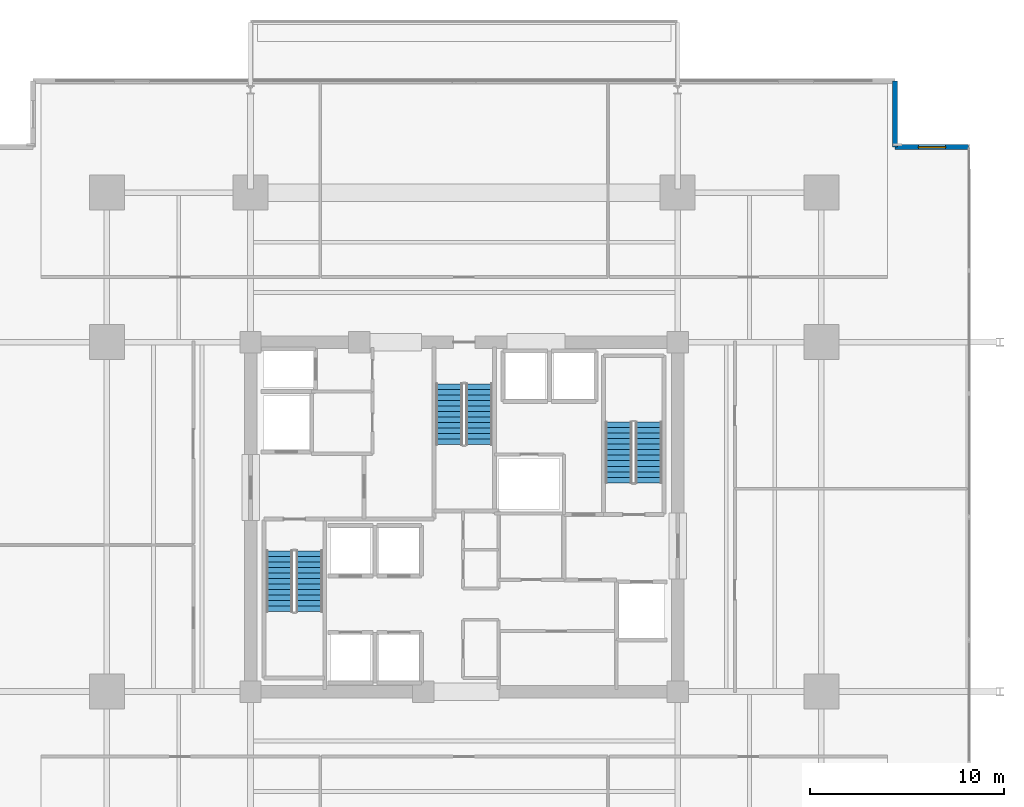
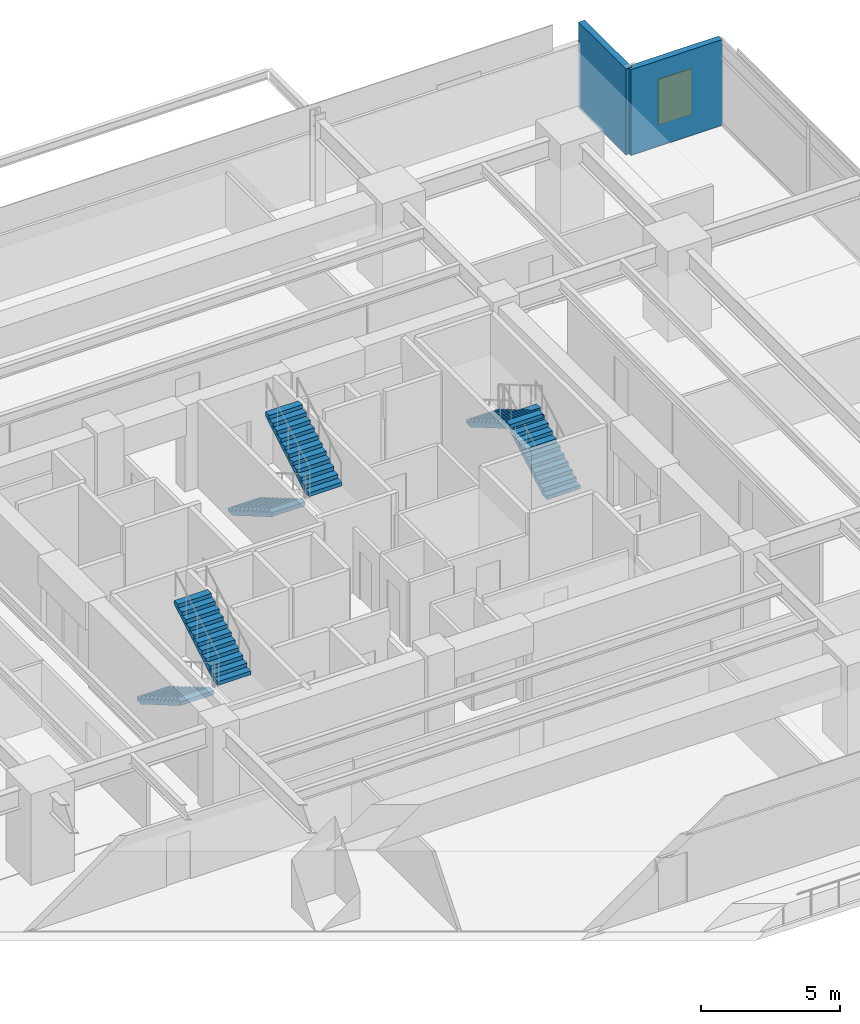
# One storey, part 20 of 25: 6 stair flights, 2 walls, 1 window, 1 opening, 3 elements without a shape of their own.
"""IFC4 building model written with IfcOpenShell, lengths in metres."""

from ifc_helpers import new_model, si_unit, direction, frame, frame_2d, origin, place, context, subcontext, project, spatial, polyline, rectangle, outline, extrude, material, layer, layer_set, type_object, element, fill, aggregate, save


model = new_model("IFC4")

# Units and contexts
model_context = context("Model", 3, precision=1e-05, world=origin(), true_north=direction((0.0, 1.0)))
body_context = subcontext(model_context, "Body", "Model", "MODEL_VIEW")
ifc_project = project(units=[si_unit("LENGTHUNIT", "METRE"), si_unit("AREAUNIT", "SQUARE_METRE"), si_unit("VOLUMEUNIT", "CUBIC_METRE"), si_unit("PLANEANGLEUNIT", "RADIAN"), si_unit("MASSUNIT", "GRAM", prefix="KILO")], contexts=[model_context])

# Site, building, storey
site_placement = place(None, origin())
site = spatial("IfcSite", under=ifc_project, at=site_placement, CompositionType="ELEMENT")
building_placement = place(site_placement, origin())
building = spatial("IfcBuilding", under=site, at=building_placement, Name="Kovane Verandah Tower", CompositionType="ELEMENT")
storey_placement = place(building_placement, frame((0.0, 0.0, 67.60009765625)))
storey = spatial("IfcBuildingStorey", under=building, at=storey_placement, Name="L15", CompositionType="ELEMENT", Elevation=67.60009765625)

# Wall, opening, window
ifc_material_1 = material(Name="Concrete C45/55 Insulated Spandrel Wall", Category="concrete")
ifc_layer = layer(ifc_material_1, 0.260009765625)
ifc_layer_set = layer_set([ifc_layer], Name="Concrete C45/55 Insulated Spandrel Wall")
wall_type = type_object("IfcWallType", Name="WL-SPANDREL-260", PredefinedType="PARAPET", material=ifc_layer_set)
wall_1_placement = place(storey_placement, frame((66.001220703125, 46.540771484375, 0.0), z_axis=(0.0, 0.0, 1.0), x_axis=(-1.0, 0.0, 0.0)))
wall_1 = element("IfcWall", 1, at=wall_1_placement, inside=storey, type_object=wall_type, Name="L15 NE Notch Cheek Wall 1", PredefinedType="PARAPET", context=body_context, shape_type="SweptSolid", body=[
    extrude(rectangle(XDim=3.800048828125, YDim=0.260009765625, at=frame_2d((1.89990234375, 0.0))), origin(), (0.0, 0.0, 1.0), 3.760009765625),
])
opening_placement = place(wall_1_placement, frame((1.199951171875, 0.0, 0.85009765625)))
opening = element("IfcOpeningElement", 2, at=opening_placement, cuts=wall_1, Name="Opening W-01", PredefinedType="OPENING", context=body_context, shape_type="SweptSolid", body=[
    extrude(rectangle(XDim=1.39990234375, YDim=2.0, at=frame_2d((0.699951171875, 1.0))), frame((0.0, 0.1298828125, 0.0), z_axis=(0.0, -1.0, 0.0), x_axis=(1.0, 0.0, 0.0)), (0.0, 0.0, 1.0), 0.260009765625),
])
ifc_material_2 = material(Name="Clear Low-E Laminated Double Glazing in Anodised Frame", Category="glass")
window_type = type_object("IfcWindowType", Name="WN-OPER-1400x2000", PartitioningType="SINGLE_PANEL", PredefinedType="WINDOW", material=ifc_material_2)
window_placement = place(opening_placement, origin())
window = element("IfcWindow", 3, at=window_placement, inside=storey, type_object=window_type, Name="L15 NE Re-Entrant Corner Operable Window", OverallHeight=2.0, OverallWidth=1.39990234375, PartitioningType="SINGLE_PANEL", PredefinedType="WINDOW", context=body_context, shape_type="SweptSolid", body=[
    extrude(rectangle(XDim=1.39990234375, YDim=2.0, at=frame_2d((0.699951171875, 1.0))), frame((0.0, 0.030029296875, 0.0), z_axis=(0.0, -1.0, 0.0), x_axis=(1.0, 0.0, 0.0)), (0.0, 0.0, 1.0), 0.06005859375),
])
fill(opening, window)

# Wall
wall_2_placement = place(storey_placement, frame((62.201171875, 46.540771484375, 0.0), z_axis=(0.0, 0.0, 1.0), x_axis=(0.0, 1.0, 0.0)))
element("IfcWall", 4, at=wall_2_placement, inside=storey, type_object=wall_type, Name="L15 NE Notch Cheek Wall 2", PredefinedType="PARAPET", context=body_context, shape_type="SweptSolid", body=[
    extrude(rectangle(XDim=3.400146484375, YDim=0.260009765625, at=frame_2d((1.7001953125, 0.0))), origin(), (0.0, 0.0, 1.0), 3.760009765625),
])

# Stair, stair flights
ifc_material_3 = material(Name="Concrete C45/55", Category="concrete")
stair_type = type_object("IfcStairType", Name="ST-CORE-1380", PredefinedType="HALF_TURN_STAIR", material=ifc_material_3)
stair_1_placement = place(storey_placement, origin())
stair_1 = element("IfcStair", 5, at=stair_1_placement, inside=storey, type_object=stair_type, Name="L15 Exit Stair ST-01", PredefinedType="HALF_TURN_STAIR")
stair_flight_type = type_object("IfcStairFlightType", Name="STF-CORE-1380", PredefinedType="STRAIGHT", material=ifc_material_3)
stair_flight_1_placement = place(storey_placement, frame((30.489990234375, 25.75, 0.0), z_axis=(0.0, 0.0, 1.0), x_axis=(0.0, -1.0, 0.0)))
stair_flight_1 = element("IfcStairFlight", 6, at=stair_flight_1_placement, type_object=stair_flight_type, Name="ST-01 flight 1", NumberOfRisers=12, NumberOfTreads=11, PredefinedType="STRAIGHT", RiserHeight=0.166666667, TreadLength=0.285, context=body_context, shape_type="SweptSolid", body=[
    extrude(outline(polyline([(0.0, 0.0), (0.0, 0.166748046875), (0.284912109375, 0.166748046875), (0.284912109375, 0.333251953125), (0.570068359375, 0.333251953125), (0.570068359375, 0.5), (0.85498046875, 0.5), (0.85498046875, 0.666748046875), (1.139892578125, 0.666748046875), (1.139892578125, 0.833251953125), (1.425048828125, 0.833251953125), (1.425048828125, 1.0), (1.7099609375, 1.0), (1.7099609375, 1.166748046875), (1.9951171875, 1.166748046875), (1.9951171875, 1.333251953125), (2.280029296875, 1.333251953125), (2.280029296875, 1.5), (2.56494140625, 1.5), (2.56494140625, 1.666748046875), (2.85009765625, 1.666748046875), (2.85009765625, 1.833251953125), (3.135009765625, 1.833251953125), (3.135009765625, 2.0), (3.135009765625, 1.65966796875), (0.296875, 0.0), (0.0, 0.0)])), frame((0.0, 0.68994140625, 0.0), z_axis=(0.0, -1.0, 0.0), x_axis=(1.0, 0.0, 0.0)), (0.0, 0.0, 1.0), 1.3798828125),
])
stair_flight_2_placement = place(storey_placement, frame((32.030029296875, 22.614990234375, 2.0), z_axis=(0.0, 0.0, 1.0), x_axis=(0.0, 1.0, 0.0)))
stair_flight_2 = element("IfcStairFlight", 7, at=stair_flight_2_placement, type_object=stair_flight_type, Name="ST-01 flight 2", NumberOfRisers=12, NumberOfTreads=11, PredefinedType="STRAIGHT", RiserHeight=0.166666667, TreadLength=0.285, context=body_context, shape_type="SweptSolid", body=[
    extrude(outline(polyline([(0.0, 0.0), (0.0, 0.166748046875), (0.284912109375, 0.166748046875), (0.284912109375, 0.333251953125), (0.570068359375, 0.333251953125), (0.570068359375, 0.5), (0.85498046875, 0.5), (0.85498046875, 0.666748046875), (1.139892578125, 0.666748046875), (1.139892578125, 0.833251953125), (1.425048828125, 0.833251953125), (1.425048828125, 1.0), (1.7099609375, 1.0), (1.7099609375, 1.166748046875), (1.9951171875, 1.166748046875), (1.9951171875, 1.333251953125), (2.280029296875, 1.333251953125), (2.280029296875, 1.5), (2.56494140625, 1.5), (2.56494140625, 1.666748046875), (2.85009765625, 1.666748046875), (2.85009765625, 1.833251953125), (3.135009765625, 1.833251953125), (3.135009765625, 2.0), (3.135009765625, 1.65966796875), (0.296875, 0.0), (0.0, 0.0)])), frame((0.0, 0.68994140625, 0.0), z_axis=(0.0, -1.0, 0.0), x_axis=(1.0, 0.0, 0.0)), (0.0, 0.0, 1.0), 1.3798828125),
])
aggregate(stair_1, [stair_flight_1, stair_flight_2])

stair_2_placement = place(storey_placement, origin())
stair_2 = element("IfcStair", 8, at=stair_2_placement, inside=storey, type_object=stair_type, Name="L15 Exit Stair ST-02", PredefinedType="HALF_TURN_STAIR")
stair_flight_3_placement = place(storey_placement, frame((49.510009765625, 29.25, 0.0), z_axis=(0.0, 0.0, 1.0), x_axis=(0.0, 1.0, 0.0)))
stair_flight_3 = element("IfcStairFlight", 9, at=stair_flight_3_placement, type_object=stair_flight_type, Name="ST-02 flight 1", NumberOfRisers=12, NumberOfTreads=11, PredefinedType="STRAIGHT", RiserHeight=0.166666667, TreadLength=0.285, context=body_context, shape_type="SweptSolid", body=[
    extrude(outline(polyline([(0.0, 0.0), (0.0, 0.166748046875), (0.284912109375, 0.166748046875), (0.284912109375, 0.333251953125), (0.570068359375, 0.333251953125), (0.570068359375, 0.5), (0.85498046875, 0.5), (0.85498046875, 0.666748046875), (1.139892578125, 0.666748046875), (1.139892578125, 0.833251953125), (1.425048828125, 0.833251953125), (1.425048828125, 1.0), (1.7099609375, 1.0), (1.7099609375, 1.166748046875), (1.9951171875, 1.166748046875), (1.9951171875, 1.333251953125), (2.280029296875, 1.333251953125), (2.280029296875, 1.5), (2.56494140625, 1.5), (2.56494140625, 1.666748046875), (2.85009765625, 1.666748046875), (2.85009765625, 1.833251953125), (3.135009765625, 1.833251953125), (3.135009765625, 2.0), (3.135009765625, 1.65966796875), (0.296875, 0.0), (0.0, 0.0)])), frame((0.0, 0.68994140625, 0.0), z_axis=(0.0, -1.0, 0.0), x_axis=(1.0, 0.0, 0.0)), (0.0, 0.0, 1.0), 1.3798828125),
])
stair_flight_4_placement = place(storey_placement, frame((47.969970703125, 32.385009765625, 2.0), z_axis=(0.0, 0.0, 1.0), x_axis=(0.0, -1.0, 0.0)))
stair_flight_4 = element("IfcStairFlight", 10, at=stair_flight_4_placement, type_object=stair_flight_type, Name="ST-02 flight 2", NumberOfRisers=12, NumberOfTreads=11, PredefinedType="STRAIGHT", RiserHeight=0.166666667, TreadLength=0.285, context=body_context, shape_type="SweptSolid", body=[
    extrude(outline(polyline([(0.0, 0.0), (0.0, 0.166748046875), (0.284912109375, 0.166748046875), (0.284912109375, 0.333251953125), (0.570068359375, 0.333251953125), (0.570068359375, 0.5), (0.85498046875, 0.5), (0.85498046875, 0.666748046875), (1.139892578125, 0.666748046875), (1.139892578125, 0.833251953125), (1.425048828125, 0.833251953125), (1.425048828125, 1.0), (1.7099609375, 1.0), (1.7099609375, 1.166748046875), (1.9951171875, 1.166748046875), (1.9951171875, 1.333251953125), (2.280029296875, 1.333251953125), (2.280029296875, 1.5), (2.56494140625, 1.5), (2.56494140625, 1.666748046875), (2.85009765625, 1.666748046875), (2.85009765625, 1.833251953125), (3.135009765625, 1.833251953125), (3.135009765625, 2.0), (3.135009765625, 1.65966796875), (0.296875, 0.0), (0.0, 0.0)])), frame((0.0, 0.68994140625, 0.0), z_axis=(0.0, -1.0, 0.0), x_axis=(1.0, 0.0, 0.0)), (0.0, 0.0, 1.0), 1.3798828125),
])
aggregate(stair_2, [stair_flight_3, stair_flight_4])

stair_3_placement = place(storey_placement, origin())
stair_3 = element("IfcStair", 11, at=stair_3_placement, inside=storey, type_object=stair_type, Name="L15 Exit Stair ST-03", PredefinedType="HALF_TURN_STAIR")
stair_flight_5_placement = place(storey_placement, frame((39.22998046875, 34.35009765625, 0.0), z_axis=(0.0, 0.0, 1.0), x_axis=(0.0, -1.0, 0.0)))
stair_flight_5 = element("IfcStairFlight", 12, at=stair_flight_5_placement, type_object=stair_flight_type, Name="ST-03 flight 1", NumberOfRisers=12, NumberOfTreads=11, PredefinedType="STRAIGHT", RiserHeight=0.166666667, TreadLength=0.285, context=body_context, shape_type="SweptSolid", body=[
    extrude(outline(polyline([(0.0, 0.0), (0.0, 0.166748046875), (0.284912109375, 0.166748046875), (0.284912109375, 0.333251953125), (0.570068359375, 0.333251953125), (0.570068359375, 0.5), (0.85498046875, 0.5), (0.85498046875, 0.666748046875), (1.139892578125, 0.666748046875), (1.139892578125, 0.833251953125), (1.425048828125, 0.833251953125), (1.425048828125, 1.0), (1.7099609375, 1.0), (1.7099609375, 1.166748046875), (1.9951171875, 1.166748046875), (1.9951171875, 1.333251953125), (2.280029296875, 1.333251953125), (2.280029296875, 1.5), (2.56494140625, 1.5), (2.56494140625, 1.666748046875), (2.85009765625, 1.666748046875), (2.85009765625, 1.833251953125), (3.135009765625, 1.833251953125), (3.135009765625, 2.0), (3.135009765625, 1.65966796875), (0.296875, 0.0), (0.0, 0.0)])), frame((0.0, 0.68994140625, 0.0), z_axis=(0.0, -1.0, 0.0), x_axis=(1.0, 0.0, 0.0)), (0.0, 0.0, 1.0), 1.3798828125),
])
stair_flight_6_placement = place(storey_placement, frame((40.77001953125, 31.215087890625, 2.0), z_axis=(0.0, 0.0, 1.0), x_axis=(0.0, 1.0, 0.0)))
stair_flight_6 = element("IfcStairFlight", 13, at=stair_flight_6_placement, type_object=stair_flight_type, Name="ST-03 flight 2", NumberOfRisers=12, NumberOfTreads=11, PredefinedType="STRAIGHT", RiserHeight=0.166666667, TreadLength=0.285, context=body_context, shape_type="SweptSolid", body=[
    extrude(outline(polyline([(0.0, 0.0), (0.0, 0.166748046875), (0.284912109375, 0.166748046875), (0.284912109375, 0.333251953125), (0.570068359375, 0.333251953125), (0.570068359375, 0.5), (0.85498046875, 0.5), (0.85498046875, 0.666748046875), (1.139892578125, 0.666748046875), (1.139892578125, 0.833251953125), (1.425048828125, 0.833251953125), (1.425048828125, 1.0), (1.7099609375, 1.0), (1.7099609375, 1.166748046875), (1.9951171875, 1.166748046875), (1.9951171875, 1.333251953125), (2.280029296875, 1.333251953125), (2.280029296875, 1.5), (2.56494140625, 1.5), (2.56494140625, 1.666748046875), (2.85009765625, 1.666748046875), (2.85009765625, 1.833251953125), (3.135009765625, 1.833251953125), (3.135009765625, 2.0), (3.135009765625, 1.65966796875), (0.296875, 0.0), (0.0, 0.0)])), frame((0.0, 0.68994140625, 0.0), z_axis=(0.0, -1.0, 0.0), x_axis=(1.0, 0.0, 0.0)), (0.0, 0.0, 1.0), 1.3798828125),
])
aggregate(stair_3, [stair_flight_5, stair_flight_6])

save(model, "model.ifc")
